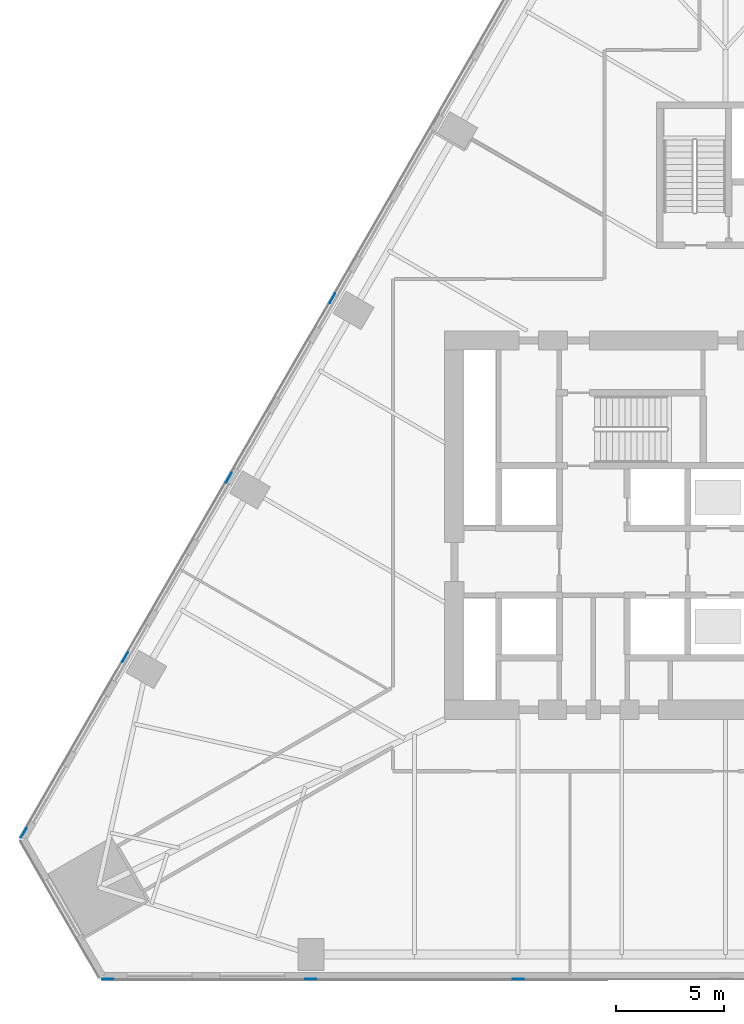
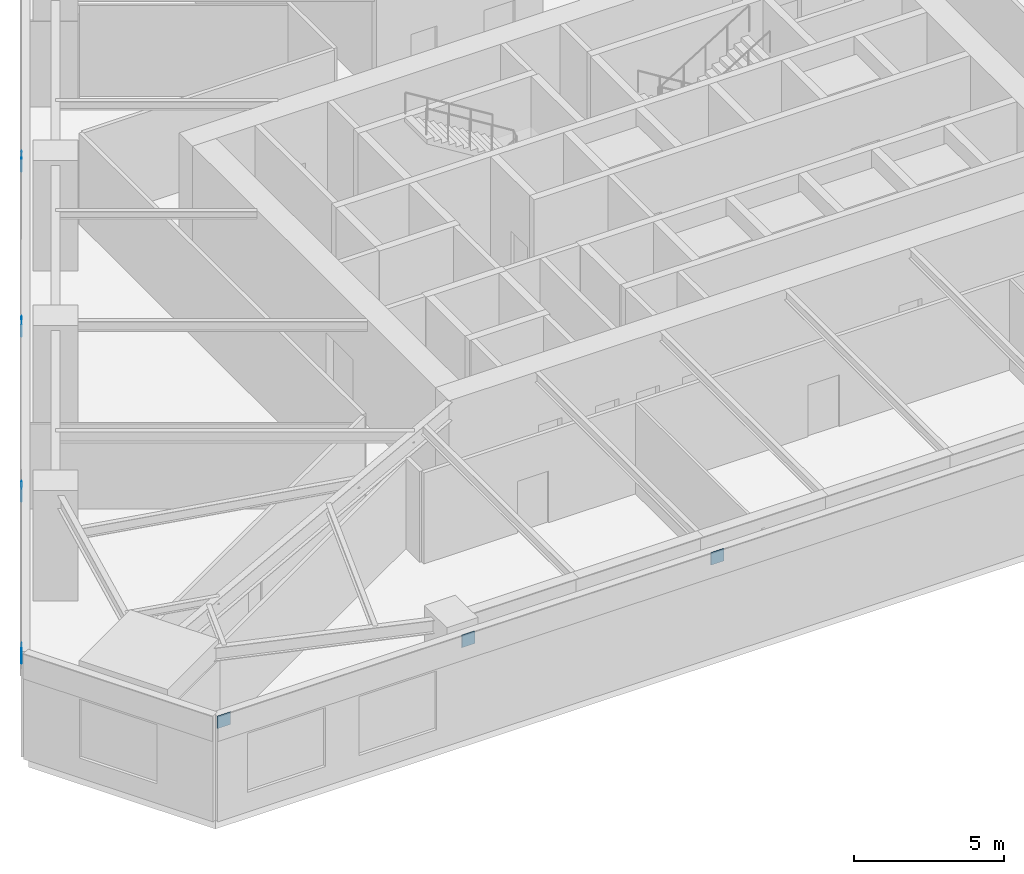
# One storey, part 8 of 14: 7 discrete accessories.
"""IFC4 building model written with IfcOpenShell, lengths in metres."""

from ifc_helpers import new_model, si_unit, direction, frame, origin, origin_2d, place, context, subcontext, project, spatial, rectangle, extrude, material, layer, layer_set, type_object, element, save


model = new_model("IFC4")

# Units and contexts
model_context = context("Model", 3, precision=1e-05, world=origin(), true_north=direction((0.0, 1.0)))
body_context = subcontext(model_context, "Body", "Model", "MODEL_VIEW")
ifc_project = project(units=[si_unit("LENGTHUNIT", "METRE"), si_unit("AREAUNIT", "SQUARE_METRE"), si_unit("VOLUMEUNIT", "CUBIC_METRE"), si_unit("PLANEANGLEUNIT", "RADIAN"), si_unit("MASSUNIT", "GRAM", prefix="KILO")], contexts=[model_context])

# Site, building, storey
site_placement = place(None, origin())
site = spatial("IfcSite", under=ifc_project, at=site_placement, CompositionType="ELEMENT")
building_placement = place(site_placement, origin())
building = spatial("IfcBuilding", under=site, at=building_placement, Name="Firuza Gate Tower and Library", CompositionType="ELEMENT")
storey_placement = place(building_placement, frame((0.0, 0.0, 35.5)))
storey = spatial("IfcBuildingStorey", under=building, at=storey_placement, Name="L07", CompositionType="ELEMENT", Elevation=35.5)

# Discrete accessories
ifc_material = material(Name="Steel S355", Category="steel")
ifc_layer = layer(ifc_material, 0.02490234375)
ifc_layer_set = layer_set([ifc_layer], Name="Cast-in anchor plate 500x500x25 Steel S355")
discrete_accessory_type = type_object("IfcDiscreteAccessoryType", Name="Cast-in anchor plate 500x500x25 Steel S355", PredefinedType="BRACKET", material=ifc_layer_set)
for number, where, z_axis, x_axis, name in (
    (1, (46.39794921875, 53.98779296875, 3.800048828125), (0.0, 0.0, 1.0), (1.0, 0.0, 0.0), "Cast-in anchor plate"),
    (2, (55.800048828125, 53.98779296875, 3.800048828125), (0.0, 0.0, 1.0), (1.0, 0.0, 0.0), "Cast-in anchor plate"),
    (3, (65.39990234375, 53.98779296875, 3.800048828125), (0.0, 0.0, 1.0), (1.0, 0.0, 0.0), "Cast-in anchor plate"),
    (4, (56.802978515625, 85.506103515625, 3.800048828125), (0.0, 0.0, 1.0), (-0.5, -0.866025403784, 0.0), "Cast-in anchor plate"),
    (5, (52.0029296875, 77.192138671875, 3.800048828125), (0.0, 0.0, 1.0), (-0.5, -0.866025403784, 0.0), "Cast-in anchor plate"),
    (6, (47.202880859375, 68.87841796875, 3.800048828125), (0.0, 0.0, 1.0), (-0.5, -0.866025403784, 0.0), "Cast-in anchor plate"),
    (7, (42.501953125, 60.736083984375, 3.800048828125), (0.0, 0.0, 1.0), (-0.5, -0.866025403784, 0.0), "Cast-in anchor plate"),
):
    element("IfcDiscreteAccessory", number, at=place(storey_placement, frame(where, z_axis=z_axis, x_axis=x_axis)), inside=storey, type_object=discrete_accessory_type, Name=name, PredefinedType="BRACKET", context=body_context, shape_type="SweptSolid", body=[
        extrude(rectangle(XDim=0.5, YDim=0.02490234375, at=origin_2d()), origin(), (0.0, 0.0, 1.0), 0.5),
    ])

save(model, "model.ifc")
